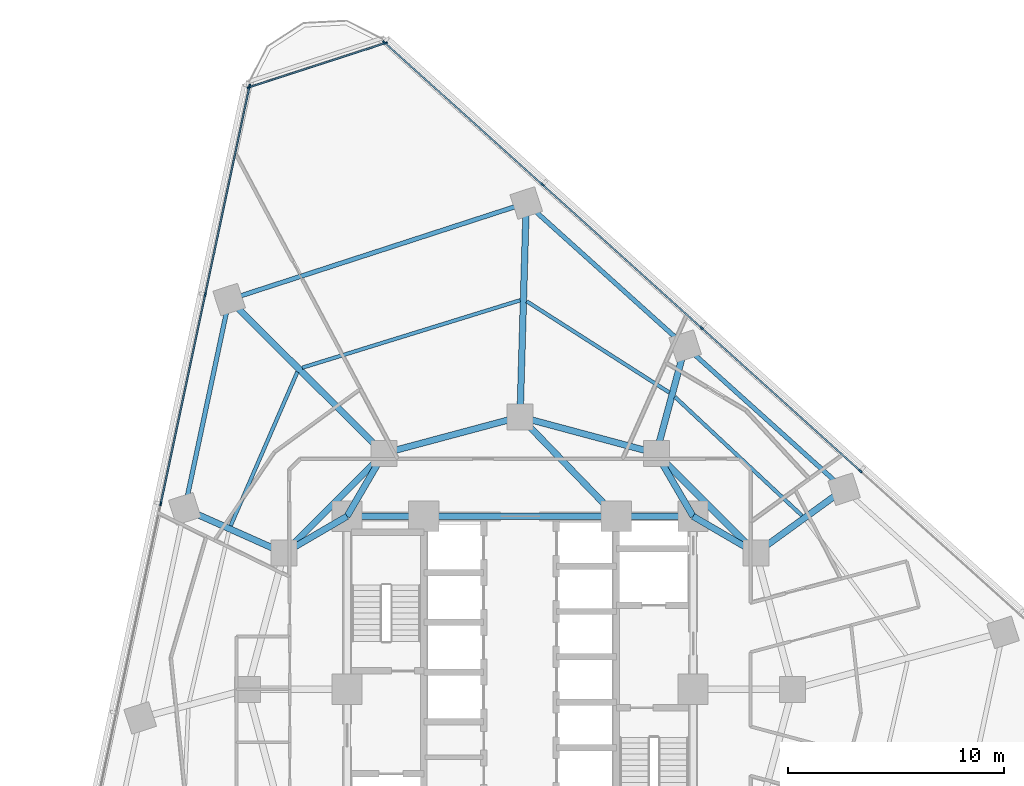
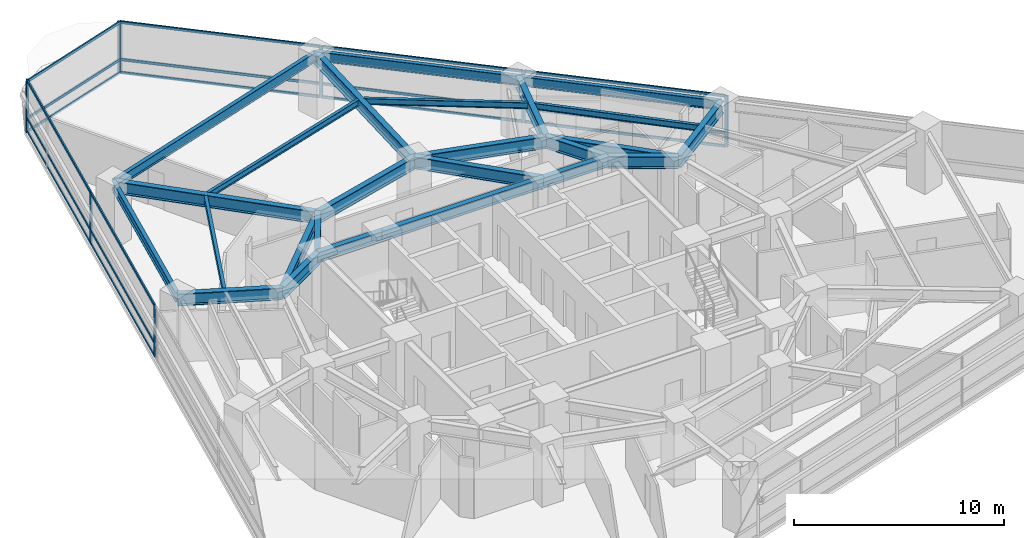
# One storey, part 5 of 13: 27 members, 25 beams, 3 elements without a shape of their own.
"""IFC4 building model written with IfcOpenShell, lengths in metres."""

from ifc_helpers import new_model, si_unit, direction, frame, origin, origin_2d, place, context, subcontext, project, spatial, rectangle, i_section, extrude, material, layer, layer_set, material_profile, profile_set, type_object, element, aggregate, save


model = new_model("IFC4")

# Units and contexts
model_context = context("Model", 3, precision=1e-05, world=origin(), true_north=direction((0.0, 1.0)))
body_context = subcontext(model_context, "Body", "Model", "MODEL_VIEW")
ifc_project = project(units=[si_unit("LENGTHUNIT", "METRE"), si_unit("AREAUNIT", "SQUARE_METRE"), si_unit("VOLUMEUNIT", "CUBIC_METRE"), si_unit("PLANEANGLEUNIT", "RADIAN"), si_unit("MASSUNIT", "GRAM", prefix="KILO")], contexts=[model_context])

# Site, building, storey
site_placement = place(None, origin())
site = spatial("IfcSite", under=ifc_project, at=site_placement, CompositionType="ELEMENT")
building_placement = place(site_placement, origin())
building = spatial("IfcBuilding", under=site, at=building_placement, Name="Terralouvre Media Tower", CompositionType="ELEMENT")
storey_placement = place(building_placement, frame((0.0, 0.0, 101.39990234375)))
storey = spatial("IfcBuildingStorey", under=building, at=storey_placement, Name="L25", CompositionType="ELEMENT", Elevation=101.39990234375)

# Beams
ifc_material_1 = material(Name="Structural steel S355J2", Category="steel")
ifc_material_profile_1 = material_profile(ifc_material_1, i_section(OverallWidth=0.169921875, OverallDepth=0.360107421875, WebThickness=0.008056640625, FlangeThickness=0.0126953125, at=origin_2d()), Name="IPE 360")
ifc_profile_set_1 = profile_set([ifc_material_profile_1], Name="Structural steel S355J2")
beam_type_1 = type_object("IfcBeamType", Name="Composite Floor Joist J-IPE360 (IPE 360)", PredefinedType="JOIST", material=ifc_profile_set_1)
beam_1_placement = place(storey_placement, frame((13.041259765625, 8.02685546875, 3.320068359375), z_axis=(-0.730741620607, 0.682654146631, 0.0), x_axis=(-0.682654146631, -0.730741620607, 0.0)))
element("IfcBeam", 1, at=beam_1_placement, inside=storey, type_object=beam_type_1, Name="L25 Framing Beam JT-L25-08", PredefinedType="JOIST", context=body_context, shape_type="SweptSolid", body=[
    extrude(i_section(OverallWidth=0.169921875, OverallDepth=0.360107421875, WebThickness=0.008056640625, FlangeThickness=0.0126953125, at=origin_2d()), origin(), (0.0, 0.0, 1.0), 8.05224609375),
])
beam_2_placement = place(storey_placement, frame((6.90380859375, 13.721923828125, 3.320068359375), z_axis=(-0.842395313358, 0.538860033805, 0.0), x_axis=(-0.538860033805, -0.842395313358, 0.0)))
element("IfcBeam", 2, at=beam_2_placement, inside=storey, type_object=beam_type_1, Name="L25 Framing Beam JT-L25-09", PredefinedType="JOIST", context=body_context, shape_type="SweptSolid", body=[
    extrude(i_section(OverallWidth=0.169921875, OverallDepth=0.360107421875, WebThickness=0.008056640625, FlangeThickness=0.0126953125, at=origin_2d()), origin(), (0.0, 0.0, 1.0), 7.8349609375),
])
beam_3_placement = place(storey_placement, frame((0.008544921875, 17.99072265625, 3.320068359375), z_axis=(-0.955322607301, -0.295565079095, 0.0), x_axis=(0.295565079095, -0.955322607301, 0.0)))
element("IfcBeam", 3, at=beam_3_placement, inside=storey, type_object=beam_type_1, Name="L25 Framing Beam JT-L25-10", PredefinedType="JOIST", context=body_context, shape_type="SweptSolid", body=[
    extrude(i_section(OverallWidth=0.169921875, OverallDepth=0.360107421875, WebThickness=0.008056640625, FlangeThickness=0.0126953125, at=origin_2d()), origin(), (0.0, 0.0, 1.0), 10.551513671875),
])
beam_4_placement = place(storey_placement, frame((-10.295166015625, 14.676513671875, 3.320068359375), z_axis=(-0.3977895236, -0.91747669993, 0.0), x_axis=(0.91747669993, -0.3977895236, 0.0)))
element("IfcBeam", 4, at=beam_4_placement, inside=storey, type_object=beam_type_1, Name="L25 Framing Beam JT-L25-11", PredefinedType="JOIST", context=body_context, shape_type="SweptSolid", body=[
    extrude(i_section(OverallWidth=0.169921875, OverallDepth=0.360107421875, WebThickness=0.008056640625, FlangeThickness=0.0126953125, at=origin_2d()), origin(), (0.0, 0.0, 1.0), 7.7509765625),
])

# Curtain wall, members
ifc_material_2 = material(Name="Low-iron laminated double glazing with solar-control coating", Category="glass")
ifc_layer_1 = layer(ifc_material_2, 0.1650390625, Name="Lower Media Tower Unitised Curtain Wall CW-02")
ifc_layer_set_1 = layer_set([ifc_layer_1], Name="Low-iron laminated double glazing with solar-control coating")
curtain_wall_type_1 = type_object("IfcCurtainWallType", Name="Lower Media Tower Unitised Curtain Wall CW-02", PredefinedType="NOTDEFINED", material=ifc_layer_set_1)
curtain_wall_1_placement = place(storey_placement, origin())
curtain_wall_1 = element("IfcCurtainWall", 5, at=curtain_wall_1_placement, inside=storey, type_object=curtain_wall_type_1, Name="L25 Facade Curtain Wall F1", PredefinedType="NOTDEFINED")
ifc_material_3 = material(Name="Anodised extruded aluminium 6063-T6", Category="aluminium")
ifc_material_profile_2 = material_profile(ifc_material_3, rectangle(XDim=0.074951171875, YDim=0.14990234375, at=origin_2d()), Name="ALU 75x150")
ifc_profile_set_2 = profile_set([ifc_material_profile_2], Name="Anodised extruded aluminium 6063-T6")
member_type_1 = type_object("IfcMemberType", Name="Curtain-Wall Horizontal Transom TR-150", PredefinedType="USERDEFINED", material=ifc_profile_set_2)
member_1_placement = place(storey_placement, frame((15.712158203125, 10.117431640625, 0.03759765625), z_axis=(-0.743145676677, 0.669129661005, 0.0), x_axis=(-0.669129661005, -0.743145676677, 0.0)))
member_1 = element("IfcMember", 6, at=member_1_placement, type_object=member_type_1, Name="CW-02 transom 3.1", ObjectType="TRANSOM", PredefinedType="USERDEFINED", context=body_context, shape_type="SweptSolid", body=[
    extrude(rectangle(XDim=0.074951171875, YDim=0.14990234375, at=origin_2d()), origin(), (0.0, 0.0, 1.0), 9.81298828125),
])
member_2_placement = place(storey_placement, frame((15.712158203125, 10.117431640625, 0.800048828125), z_axis=(-0.743145676677, 0.669129661005, 0.0), x_axis=(-0.669129661005, -0.743145676677, 0.0)))
member_2 = element("IfcMember", 7, at=member_2_placement, type_object=member_type_1, Name="CW-02 transom 3.2", ObjectType="TRANSOM", PredefinedType="USERDEFINED", context=body_context, shape_type="SweptSolid", body=[
    extrude(rectangle(XDim=0.074951171875, YDim=0.14990234375, at=origin_2d()), origin(), (0.0, 0.0, 1.0), 9.81298828125),
])
member_3_placement = place(storey_placement, frame((15.712158203125, 10.117431640625, 2.962646484375), z_axis=(-0.743145676677, 0.669129661005, 0.0), x_axis=(-0.669129661005, -0.743145676677, 0.0)))
member_3 = element("IfcMember", 8, at=member_3_placement, type_object=member_type_1, Name="CW-02 transom 3.3", ObjectType="TRANSOM", PredefinedType="USERDEFINED", context=body_context, shape_type="SweptSolid", body=[
    extrude(rectangle(XDim=0.074951171875, YDim=0.14990234375, at=origin_2d()), origin(), (0.0, 0.0, 1.0), 9.81298828125),
])
member_4_placement = place(storey_placement, frame((8.36376953125, 16.733642578125, 0.03759765625), z_axis=(-0.743145676677, 0.669129661005, 0.0), x_axis=(-0.669129661005, -0.743145676677, 0.0)))
member_4 = element("IfcMember", 9, at=member_4_placement, type_object=member_type_1, Name="CW-02 transom 4.1", ObjectType="TRANSOM", PredefinedType="USERDEFINED", context=body_context, shape_type="SweptSolid", body=[
    extrude(rectangle(XDim=0.074951171875, YDim=0.14990234375, at=origin_2d()), origin(), (0.0, 0.0, 1.0), 9.81298828125),
])
member_5_placement = place(storey_placement, frame((8.36376953125, 16.733642578125, 0.800048828125), z_axis=(-0.743145676677, 0.669129661005, 0.0), x_axis=(-0.669129661005, -0.743145676677, 0.0)))
member_5 = element("IfcMember", 10, at=member_5_placement, type_object=member_type_1, Name="CW-02 transom 4.2", ObjectType="TRANSOM", PredefinedType="USERDEFINED", context=body_context, shape_type="SweptSolid", body=[
    extrude(rectangle(XDim=0.074951171875, YDim=0.14990234375, at=origin_2d()), origin(), (0.0, 0.0, 1.0), 9.81298828125),
])
member_6_placement = place(storey_placement, frame((8.36376953125, 16.733642578125, 2.962646484375), z_axis=(-0.743145676677, 0.669129661005, 0.0), x_axis=(-0.669129661005, -0.743145676677, 0.0)))
member_6 = element("IfcMember", 11, at=member_6_placement, type_object=member_type_1, Name="CW-02 transom 4.3", ObjectType="TRANSOM", PredefinedType="USERDEFINED", context=body_context, shape_type="SweptSolid", body=[
    extrude(rectangle(XDim=0.074951171875, YDim=0.14990234375, at=origin_2d()), origin(), (0.0, 0.0, 1.0), 9.81298828125),
])
member_7_placement = place(storey_placement, frame((1.015625, 23.35009765625, 0.03759765625), z_axis=(-0.743150075485, 0.669124775588, 0.0), x_axis=(-0.669124775588, -0.743150075485, 0.0)))
member_7 = element("IfcMember", 12, at=member_7_placement, type_object=member_type_1, Name="CW-02 transom 5.1", ObjectType="TRANSOM", PredefinedType="USERDEFINED", context=body_context, shape_type="SweptSolid", body=[
    extrude(rectangle(XDim=0.074951171875, YDim=0.14990234375, at=origin_2d()), origin(), (0.0, 0.0, 1.0), 9.775390625),
])
member_8_placement = place(storey_placement, frame((1.015625, 23.35009765625, 0.800048828125), z_axis=(-0.743150075485, 0.669124775588, 0.0), x_axis=(-0.669124775588, -0.743150075485, 0.0)))
member_8 = element("IfcMember", 13, at=member_8_placement, type_object=member_type_1, Name="CW-02 transom 5.2", ObjectType="TRANSOM", PredefinedType="USERDEFINED", context=body_context, shape_type="SweptSolid", body=[
    extrude(rectangle(XDim=0.074951171875, YDim=0.14990234375, at=origin_2d()), origin(), (0.0, 0.0, 1.0), 9.775390625),
])
member_9_placement = place(storey_placement, frame((1.015625, 23.35009765625, 2.962646484375), z_axis=(-0.743150075485, 0.669124775588, 0.0), x_axis=(-0.669124775588, -0.743150075485, 0.0)))
member_9 = element("IfcMember", 14, at=member_9_placement, type_object=member_type_1, Name="CW-02 transom 5.3", ObjectType="TRANSOM", PredefinedType="USERDEFINED", context=body_context, shape_type="SweptSolid", body=[
    extrude(rectangle(XDim=0.074951171875, YDim=0.14990234375, at=origin_2d()), origin(), (0.0, 0.0, 1.0), 9.775390625),
])

curtain_wall_2_placement = place(storey_placement, origin())
curtain_wall_2 = element("IfcCurtainWall", 15, at=curtain_wall_2_placement, inside=storey, type_object=curtain_wall_type_1, Name="L25 Facade Curtain Wall F2", PredefinedType="NOTDEFINED")
member_10_placement = place(storey_placement, frame((-12.51416015625, 27.85546875, 0.03759765625), z_axis=(-0.207917001862, -0.978146471821, 0.0), x_axis=(0.978146471821, -0.207917001862, 0.0)))
member_10 = element("IfcMember", 16, at=member_10_placement, type_object=member_type_1, Name="CW-02 transom 1.1", ObjectType="TRANSOM", PredefinedType="USERDEFINED", context=body_context, shape_type="SweptSolid", body=[
    extrude(rectangle(XDim=0.074951171875, YDim=0.14990234375, at=origin_2d()), origin(), (0.0, 0.0, 1.0), 9.775390625),
])
member_11_placement = place(storey_placement, frame((-12.51416015625, 27.85546875, 0.800048828125), z_axis=(-0.207917001862, -0.978146471821, 0.0), x_axis=(0.978146471821, -0.207917001862, 0.0)))
member_11 = element("IfcMember", 17, at=member_11_placement, type_object=member_type_1, Name="CW-02 transom 1.2", ObjectType="TRANSOM", PredefinedType="USERDEFINED", context=body_context, shape_type="SweptSolid", body=[
    extrude(rectangle(XDim=0.074951171875, YDim=0.14990234375, at=origin_2d()), origin(), (0.0, 0.0, 1.0), 9.775390625),
])
member_12_placement = place(storey_placement, frame((-12.51416015625, 27.85546875, 2.962646484375), z_axis=(-0.207917001862, -0.978146471821, 0.0), x_axis=(0.978146471821, -0.207917001862, 0.0)))
member_12 = element("IfcMember", 18, at=member_12_placement, type_object=member_type_1, Name="CW-02 transom 1.3", ObjectType="TRANSOM", PredefinedType="USERDEFINED", context=body_context, shape_type="SweptSolid", body=[
    extrude(rectangle(XDim=0.074951171875, YDim=0.14990234375, at=origin_2d()), origin(), (0.0, 0.0, 1.0), 9.775390625),
])
member_13_placement = place(storey_placement, frame((-14.56201171875, 18.22021484375, 0.03759765625), z_axis=(-0.207919755159, -0.97814588657, 0.0), x_axis=(0.97814588657, -0.207919755159, 0.0)))
member_13 = element("IfcMember", 19, at=member_13_placement, type_object=member_type_1, Name="CW-02 transom 2.1", ObjectType="TRANSOM", PredefinedType="USERDEFINED", context=body_context, shape_type="SweptSolid", body=[
    extrude(rectangle(XDim=0.074951171875, YDim=0.14990234375, at=origin_2d()), origin(), (0.0, 0.0, 1.0), 9.812744140625),
])
member_14_placement = place(storey_placement, frame((-14.56201171875, 18.22021484375, 0.800048828125), z_axis=(-0.207919755159, -0.97814588657, 0.0), x_axis=(0.97814588657, -0.207919755159, 0.0)))
member_14 = element("IfcMember", 20, at=member_14_placement, type_object=member_type_1, Name="CW-02 transom 2.2", ObjectType="TRANSOM", PredefinedType="USERDEFINED", context=body_context, shape_type="SweptSolid", body=[
    extrude(rectangle(XDim=0.074951171875, YDim=0.14990234375, at=origin_2d()), origin(), (0.0, 0.0, 1.0), 9.812744140625),
])
member_15_placement = place(storey_placement, frame((-14.56201171875, 18.22021484375, 2.962646484375), z_axis=(-0.207919755159, -0.97814588657, 0.0), x_axis=(0.97814588657, -0.207919755159, 0.0)))
member_15 = element("IfcMember", 21, at=member_15_placement, type_object=member_type_1, Name="CW-02 transom 2.3", ObjectType="TRANSOM", PredefinedType="USERDEFINED", context=body_context, shape_type="SweptSolid", body=[
    extrude(rectangle(XDim=0.074951171875, YDim=0.14990234375, at=origin_2d()), origin(), (0.0, 0.0, 1.0), 9.812744140625),
])

ifc_material_4 = material(Name="Low-iron laminated double glazing with solar-control coating", Category="glass")
ifc_layer_2 = layer(ifc_material_4, 0.1650390625, Name="Rounded Wind-Corner Curved Glazing CW-04")
ifc_layer_set_2 = layer_set([ifc_layer_2], Name="Low-iron laminated double glazing with solar-control coating")
curtain_wall_type_2 = type_object("IfcCurtainWallType", Name="Rounded Wind-Corner Curved Glazing CW-04", PredefinedType="NOTDEFINED", material=ifc_layer_set_2)
curtain_wall_3_placement = place(storey_placement, origin())
curtain_wall_3 = element("IfcCurtainWall", 22, at=curtain_wall_3_placement, inside=storey, type_object=curtain_wall_type_2, Name="L25 Rounded Wind-Corner Curtain Wall C2", PredefinedType="NOTDEFINED")
member_16_placement = place(storey_placement, frame((-6.25244140625, 29.874267578125, 0.03759765625), z_axis=(-0.951049086089, -0.309039861262, 0.0), x_axis=(0.309039861262, -0.951049086089, 0.0)))
member_16 = element("IfcMember", 23, at=member_16_placement, type_object=member_type_1, Name="CW-04 transom 1.1", ObjectType="TRANSOM", PredefinedType="USERDEFINED", context=body_context, shape_type="SweptSolid", body=[
    extrude(rectangle(XDim=0.074951171875, YDim=0.14990234375, at=origin_2d()), origin(), (0.0, 0.0, 1.0), 6.5703125),
])
member_17_placement = place(storey_placement, frame((-6.25244140625, 29.874267578125, 0.800048828125), z_axis=(-0.951049086089, -0.309039861262, 0.0), x_axis=(0.309039861262, -0.951049086089, 0.0)))
member_17 = element("IfcMember", 24, at=member_17_placement, type_object=member_type_1, Name="CW-04 transom 1.2", ObjectType="TRANSOM", PredefinedType="USERDEFINED", context=body_context, shape_type="SweptSolid", body=[
    extrude(rectangle(XDim=0.074951171875, YDim=0.14990234375, at=origin_2d()), origin(), (0.0, 0.0, 1.0), 6.5703125),
])
member_18_placement = place(storey_placement, frame((-6.25244140625, 29.874267578125, 2.962646484375), z_axis=(-0.951049086089, -0.309039861262, 0.0), x_axis=(0.309039861262, -0.951049086089, 0.0)))
member_18 = element("IfcMember", 25, at=member_18_placement, type_object=member_type_1, Name="CW-04 transom 1.3", ObjectType="TRANSOM", PredefinedType="USERDEFINED", context=body_context, shape_type="SweptSolid", body=[
    extrude(rectangle(XDim=0.074951171875, YDim=0.14990234375, at=origin_2d()), origin(), (0.0, 0.0, 1.0), 6.5703125),
])

# Member
ifc_material_5 = material(Name="Anodised extruded aluminium 6063-T6", Category="aluminium")
ifc_material_profile_3 = material_profile(ifc_material_5, rectangle(XDim=0.074951171875, YDim=0.179931640625, at=origin_2d()), Name="ALU 75x180")
ifc_profile_set_3 = profile_set([ifc_material_profile_3], Name="Anodised extruded aluminium 6063-T6")
member_type_2 = type_object("IfcMemberType", Name="Curtain-Wall Vertical Mullion ML-180", PredefinedType="MULLION", material=ifc_profile_set_3)
member_19_placement = place(storey_placement, frame((15.739990234375, 10.09228515625, 0.0), z_axis=(0.0, 0.0, 1.0), x_axis=(-0.669130639602, -0.743144795545, 0.0)))
member_19 = element("IfcMember", 26, at=member_19_placement, type_object=member_type_2, Name="CW-02 mullion 3", PredefinedType="MULLION", context=body_context, shape_type="SweptSolid", body=[
    extrude(rectangle(XDim=0.074951171875, YDim=0.179931640625, at=origin_2d()), origin(), (0.0, 0.0, 1.0), 3.0),
])

member_20_placement = place(storey_placement, frame((8.3916015625, 16.708740234375, 0.0), z_axis=(0.0, 0.0, 1.0), x_axis=(-0.669130639602, -0.743144795545, 0.0)))
member_20 = element("IfcMember", 27, at=member_20_placement, type_object=member_type_2, Name="CW-02 mullion 4", PredefinedType="MULLION", context=body_context, shape_type="SweptSolid", body=[
    extrude(rectangle(XDim=0.074951171875, YDim=0.179931640625, at=origin_2d()), origin(), (0.0, 0.0, 1.0), 3.0),
])

member_21_placement = place(storey_placement, frame((1.04345703125, 23.324951171875, 0.0), z_axis=(0.0, 0.0, 1.0), x_axis=(-0.669130639602, -0.743144795545, 0.0)))
member_21 = element("IfcMember", 28, at=member_21_placement, type_object=member_type_2, Name="CW-02 mullion 5", PredefinedType="MULLION", context=body_context, shape_type="SweptSolid", body=[
    extrude(rectangle(XDim=0.074951171875, YDim=0.179931640625, at=origin_2d()), origin(), (0.0, 0.0, 1.0), 3.0),
])

member_22_placement = place(storey_placement, frame((-6.27685546875, 29.916259765625, 0.0), z_axis=(0.0, 0.0, 1.0), x_axis=(-0.669130639602, -0.743144795545, 0.0)))
member_22 = element("IfcMember", 29, at=member_22_placement, type_object=member_type_2, Name="CW-02 mullion 6", PredefinedType="MULLION", context=body_context, shape_type="SweptSolid", body=[
    extrude(rectangle(XDim=0.074951171875, YDim=0.179931640625, at=origin_2d()), origin(), (0.0, 0.0, 1.0), 3.0),
])

aggregate(curtain_wall_1, [member_19, member_20, member_21, member_22, member_1, member_2, member_3, member_4, member_5, member_6, member_7, member_8, member_9])

member_23_placement = place(storey_placement, frame((-12.50634765625, 27.89208984375, 0.0), z_axis=(0.0, 0.0, 1.0), x_axis=(0.978147610709, -0.207911643887, 0.0)))
member_23 = element("IfcMember", 30, at=member_23_placement, type_object=member_type_2, Name="CW-02 mullion 1", PredefinedType="MULLION", context=body_context, shape_type="SweptSolid", body=[
    extrude(rectangle(XDim=0.074951171875, YDim=0.179931640625, at=origin_2d()), origin(), (0.0, 0.0, 1.0), 3.0),
])

member_24_placement = place(storey_placement, frame((-14.55419921875, 18.257080078125, 0.0), z_axis=(0.0, 0.0, 1.0), x_axis=(0.978147610709, -0.207911643887, 0.0)))
member_24 = element("IfcMember", 31, at=member_24_placement, type_object=member_type_2, Name="CW-02 mullion 2", PredefinedType="MULLION", context=body_context, shape_type="SweptSolid", body=[
    extrude(rectangle(XDim=0.074951171875, YDim=0.179931640625, at=origin_2d()), origin(), (0.0, 0.0, 1.0), 3.0),
])

member_25_placement = place(storey_placement, frame((-16.610107421875, 8.5849609375, 0.0), z_axis=(0.0, 0.0, 1.0), x_axis=(0.978147610709, -0.207911643887, 0.0)))
member_25 = element("IfcMember", 32, at=member_25_placement, type_object=member_type_2, Name="CW-02 mullion 3", PredefinedType="MULLION", context=body_context, shape_type="SweptSolid", body=[
    extrude(rectangle(XDim=0.074951171875, YDim=0.179931640625, at=origin_2d()), origin(), (0.0, 0.0, 1.0), 3.0),
])

aggregate(curtain_wall_2, [member_23, member_24, member_25, member_10, member_11, member_12, member_13, member_14, member_15])

member_26_placement = place(storey_placement, frame((-6.216796875, 29.8857421875, 0.0), z_axis=(0.0, 0.0, 1.0), x_axis=(0.309017701894, -0.951056286408, 0.0)))
member_26 = element("IfcMember", 33, at=member_26_placement, type_object=member_type_2, Name="CW-04 mullion 1", PredefinedType="MULLION", context=body_context, shape_type="SweptSolid", body=[
    extrude(rectangle(XDim=0.074951171875, YDim=0.179931640625, at=origin_2d()), origin(), (0.0, 0.0, 1.0), 3.0),
])

member_27_placement = place(storey_placement, frame((-12.536865234375, 27.832275390625, 0.0), z_axis=(0.0, 0.0, 1.0), x_axis=(0.309017701894, -0.951056286408, 0.0)))
member_27 = element("IfcMember", 34, at=member_27_placement, type_object=member_type_2, Name="CW-04 mullion 2", PredefinedType="MULLION", context=body_context, shape_type="SweptSolid", body=[
    extrude(rectangle(XDim=0.074951171875, YDim=0.179931640625, at=origin_2d()), origin(), (0.0, 0.0, 1.0), 3.0),
])

aggregate(curtain_wall_3, [member_26, member_27, member_16, member_17, member_18])

# Beams
ifc_material_6 = material(Name="Structural steel S355J2", Category="steel")
ifc_material_profile_4 = material_profile(ifc_material_6, i_section(OverallWidth=0.2099609375, OverallDepth=0.550048828125, WebThickness=0.010986328125, FlangeThickness=0.01708984375, at=origin_2d()), Name="IPE 550")
ifc_profile_set_4 = profile_set([ifc_material_profile_4], Name="Structural steel S355J2")
beam_type_2 = type_object("IfcBeamType", Name="Perimeter Spandrel Beam SPB-550 (IPE 550)", PredefinedType="SPANDREL", material=ifc_profile_set_4)
beam_5_placement = place(storey_placement, frame((14.98388671875, 9.25244140625, 3.22509765625), z_axis=(-0.743148033922, 0.669127043002, 0.0), x_axis=(-0.669127043002, -0.743148033922, 0.0)))
element("IfcBeam", 35, at=beam_5_placement, inside=storey, type_object=beam_type_2, Name="L25 Framing Beam BM-L25-PR08", PredefinedType="SPANDREL", context=body_context, shape_type="SweptSolid", body=[
    extrude(i_section(OverallWidth=0.2099609375, OverallDepth=0.550048828125, WebThickness=0.010986328125, FlangeThickness=0.01708984375, at=origin_2d()), origin(), (0.0, 0.0, 1.0), 9.88818359375),
])
beam_6_placement = place(storey_placement, frame((7.635498046875, 15.868896484375, 3.22509765625), z_axis=(-0.743136979084, 0.669139320558, 0.0), x_axis=(-0.669139320558, -0.743136979084, 0.0)))
element("IfcBeam", 36, at=beam_6_placement, inside=storey, type_object=beam_type_2, Name="L25 Framing Beam BM-L25-PR09", PredefinedType="SPANDREL", context=body_context, shape_type="SweptSolid", body=[
    extrude(i_section(OverallWidth=0.2099609375, OverallDepth=0.550048828125, WebThickness=0.010986328125, FlangeThickness=0.01708984375, at=origin_2d()), origin(), (0.0, 0.0, 1.0), 9.887939453125),
])
beam_7_placement = place(storey_placement, frame((0.287353515625, 22.4853515625, 3.22509765625), z_axis=(-0.951052948313, -0.309027975278, 0.0), x_axis=(0.309027975278, -0.951052948313, 0.0)))
element("IfcBeam", 37, at=beam_7_placement, inside=storey, type_object=beam_type_2, Name="L25 Framing Beam BM-L25-PR10", PredefinedType="SPANDREL", context=body_context, shape_type="SweptSolid", body=[
    extrude(i_section(OverallWidth=0.2099609375, OverallDepth=0.550048828125, WebThickness=0.010986328125, FlangeThickness=0.01708984375, at=origin_2d()), origin(), (0.0, 0.0, 1.0), 14.443359375),
])
beam_8_placement = place(storey_placement, frame((-13.448974609375, 18.02197265625, 3.22509765625), z_axis=(-0.207920177572, -0.97814579678, 0.0), x_axis=(0.97814579678, -0.207920177572, 0.0)))
element("IfcBeam", 38, at=beam_8_placement, inside=storey, type_object=beam_type_2, Name="L25 Framing Beam BM-L25-PR11", PredefinedType="SPANDREL", context=body_context, shape_type="SweptSolid", body=[
    extrude(i_section(OverallWidth=0.2099609375, OverallDepth=0.550048828125, WebThickness=0.010986328125, FlangeThickness=0.01708984375, at=origin_2d()), origin(), (0.0, 0.0, 1.0), 9.887939453125),
])
ifc_material_7 = material(Name="Structural steel S460M", Category="steel")
ifc_material_profile_5 = material_profile(ifc_material_7, i_section(OverallWidth=0.300048828125, OverallDepth=0.60009765625, WebThickness=0.015380859375, FlangeThickness=0.030029296875, at=origin_2d()), Name="HEB 600")
ifc_profile_set_5 = profile_set([ifc_material_profile_5], Name="Structural steel S460M")
beam_type_3 = type_object("IfcBeamType", Name="Primary Floor Girder B-HEB600 (HEB 600)", PredefinedType="BEAM", material=ifc_profile_set_5)
beam_9_placement = place(storey_placement, frame((8.0, 8.0, 3.2001953125), z_axis=(-1.0, 0.0, 0.0), x_axis=(0.0, -1.0, 0.0)))
element("IfcBeam", 39, at=beam_9_placement, inside=storey, type_object=beam_type_3, Name="L25 Framing Beam BM-L25-CPR06", PredefinedType="BEAM", context=body_context, shape_type="SweptSolid", body=[
    extrude(i_section(OverallWidth=0.300048828125, OverallDepth=0.60009765625, WebThickness=0.015380859375, FlangeThickness=0.030029296875, at=origin_2d()), origin(), (0.0, 0.0, 1.0), 3.550048828125),
])
beam_10_placement = place(storey_placement, frame((4.449951171875, 8.0, 3.2001953125), z_axis=(-1.0, 0.0, 0.0), x_axis=(0.0, -1.0, 0.0)))
element("IfcBeam", 40, at=beam_10_placement, inside=storey, type_object=beam_type_3, Name="L25 Framing Beam BM-L25-CPR07", PredefinedType="BEAM", context=body_context, shape_type="SweptSolid", body=[
    extrude(i_section(OverallWidth=0.300048828125, OverallDepth=0.60009765625, WebThickness=0.015380859375, FlangeThickness=0.030029296875, at=origin_2d()), origin(), (0.0, 0.0, 1.0), 8.89990234375),
])
beam_11_placement = place(storey_placement, frame((-4.449951171875, 8.0, 3.2001953125), z_axis=(-1.0, 0.0, 0.0), x_axis=(0.0, -1.0, 0.0)))
element("IfcBeam", 41, at=beam_11_placement, inside=storey, type_object=beam_type_3, Name="L25 Framing Beam BM-L25-CPR08", PredefinedType="BEAM", context=body_context, shape_type="SweptSolid", body=[
    extrude(i_section(OverallWidth=0.300048828125, OverallDepth=0.60009765625, WebThickness=0.015380859375, FlangeThickness=0.030029296875, at=origin_2d()), origin(), (0.0, 0.0, 1.0), 3.550048828125),
])
ifc_material_8 = material(Name="Structural steel S460M", Category="steel")
ifc_material_profile_6 = material_profile(ifc_material_8, i_section(OverallWidth=0.300048828125, OverallDepth=0.699951171875, WebThickness=0.01708984375, FlangeThickness=0.031982421875, at=origin_2d()), Name="HEB 700")
ifc_profile_set_6 = profile_set([ifc_material_profile_6], Name="Structural steel S460M")
beam_type_4 = type_object("IfcBeamType", Name="Primary Floor Girder B-HEB700 (HEB 700)", PredefinedType="BEAM", material=ifc_profile_set_6)
beam_12_placement = place(storey_placement, frame((10.911865234375, 6.300048828125, 3.150146484375), z_axis=(-0.707106781187, 0.707106781187, 0.0), x_axis=(-0.707106781187, -0.707106781187, 0.0)))
element("IfcBeam", 42, at=beam_12_placement, inside=storey, type_object=beam_type_4, Name="L25 Framing Beam BM-L25-MR07", PredefinedType="BEAM", context=body_context, shape_type="SweptSolid", body=[
    extrude(i_section(OverallWidth=0.300048828125, OverallDepth=0.699951171875, WebThickness=0.01708984375, FlangeThickness=0.031982421875, at=origin_2d()), origin(), (0.0, 0.0, 1.0), 6.52197265625),
])
for number, where, z_axis, x_axis, name in (
    (43, (6.300048828125, 10.911865234375, 3.150146484375), (-0.965920481897, 0.258838989821, 0.0), (-0.258838989821, -0.965920481897, 0.0), "L25 Framing Beam BM-L25-MR08"),
    (44, (0.0, 12.60009765625, 3.150146484375), (-0.965920481897, -0.258838989821, 0.0), (0.258838989821, -0.965920481897, 0.0), "L25 Framing Beam BM-L25-MR09"),
):
    element("IfcBeam", number, at=place(storey_placement, frame(where, z_axis=z_axis, x_axis=x_axis)), inside=storey, type_object=beam_type_4, Name=name, PredefinedType="BEAM", context=body_context, shape_type="SweptSolid", body=[
        extrude(i_section(OverallWidth=0.300048828125, OverallDepth=0.699951171875, WebThickness=0.01708984375, FlangeThickness=0.031982421875, at=origin_2d()), origin(), (0.0, 0.0, 1.0), 6.522216796875),
    ])
beam_13_placement = place(storey_placement, frame((-6.300048828125, 10.911865234375, 3.150146484375), z_axis=(-0.707106781187, -0.707106781187, 0.0), x_axis=(0.707106781187, -0.707106781187, 0.0)))
element("IfcBeam", 45, at=beam_13_placement, inside=storey, type_object=beam_type_4, Name="L25 Framing Beam BM-L25-MR10", PredefinedType="BEAM", context=body_context, shape_type="SweptSolid", body=[
    extrude(i_section(OverallWidth=0.300048828125, OverallDepth=0.699951171875, WebThickness=0.01708984375, FlangeThickness=0.031982421875, at=origin_2d()), origin(), (0.0, 0.0, 1.0), 6.52197265625),
])
for number, where, z_axis, x_axis, name in (
    (46, (8.0, 8.0, 3.150146484375), (0.863602894532, -0.504172629717, 0.0), (0.504172629717, 0.863602894532, 0.0), "L25 Framing Beam BM-L25-CM07"),
    (47, (8.0, 8.0, 3.150146484375), (-0.504172629717, 0.863602894532, 0.0), (-0.863602894532, -0.504172629717, 0.0), "L25 Framing Beam BM-L25-CM08"),
):
    element("IfcBeam", number, at=place(storey_placement, frame(where, z_axis=z_axis, x_axis=x_axis)), inside=storey, type_object=beam_type_4, Name=name, PredefinedType="BEAM", context=body_context, shape_type="SweptSolid", body=[
        extrude(i_section(OverallWidth=0.300048828125, OverallDepth=0.699951171875, WebThickness=0.01708984375, FlangeThickness=0.031982421875, at=origin_2d()), origin(), (0.0, 0.0, 1.0), 3.371826171875),
    ])
beam_14_placement = place(storey_placement, frame((4.449951171875, 8.0, 3.150146484375), z_axis=(-0.695279715726, 0.718739255155, 0.0), x_axis=(-0.718739255155, -0.695279715726, 0.0)))
element("IfcBeam", 48, at=beam_14_placement, inside=storey, type_object=beam_type_4, Name="L25 Framing Beam BM-L25-CM09", PredefinedType="BEAM", context=body_context, shape_type="SweptSolid", body=[
    extrude(i_section(OverallWidth=0.300048828125, OverallDepth=0.699951171875, WebThickness=0.01708984375, FlangeThickness=0.031982421875, at=origin_2d()), origin(), (0.0, 0.0, 1.0), 6.400146484375),
])
for number, where, z_axis, x_axis, name in (
    (49, (-8.0, 8.0, 3.150146484375), (0.504172629717, 0.863602894532, 0.0), (-0.863602894532, 0.504172629717, 0.0), "L25 Framing Beam BM-L25-CM10"),
    (50, (-8.0, 8.0, 3.150146484375), (-0.863602894532, -0.504172629717, 0.0), (0.504172629717, -0.863602894532, 0.0), "L25 Framing Beam BM-L25-CM11"),
):
    element("IfcBeam", number, at=place(storey_placement, frame(where, z_axis=z_axis, x_axis=x_axis)), inside=storey, type_object=beam_type_4, Name=name, PredefinedType="BEAM", context=body_context, shape_type="SweptSolid", body=[
        extrude(i_section(OverallWidth=0.300048828125, OverallDepth=0.699951171875, WebThickness=0.01708984375, FlangeThickness=0.031982421875, at=origin_2d()), origin(), (0.0, 0.0, 1.0), 3.371826171875),
    ])
beam_15_placement = place(storey_placement, frame((10.911865234375, 6.300048828125, 3.150146484375), z_axis=(0.809593719636, 0.586990638022, 0.0), x_axis=(-0.586990638022, 0.809593719636, 0.0)))
element("IfcBeam", 51, at=beam_15_placement, inside=storey, type_object=beam_type_4, Name="L25 Framing Beam BM-L25-RD08", PredefinedType="BEAM", context=body_context, shape_type="SweptSolid", body=[
    extrude(i_section(OverallWidth=0.300048828125, OverallDepth=0.699951171875, WebThickness=0.01708984375, FlangeThickness=0.031982421875, at=origin_2d()), origin(), (0.0, 0.0, 1.0), 5.02978515625),
])
beam_16_placement = place(storey_placement, frame((6.300048828125, 10.911865234375, 3.150146484375), z_axis=(0.260130371447, 0.96557350308, 0.0), x_axis=(-0.96557350308, 0.260130371447, 0.0)))
element("IfcBeam", 52, at=beam_16_placement, inside=storey, type_object=beam_type_4, Name="L25 Framing Beam BM-L25-RD09", PredefinedType="BEAM", context=body_context, shape_type="SweptSolid", body=[
    extrude(i_section(OverallWidth=0.300048828125, OverallDepth=0.699951171875, WebThickness=0.01708984375, FlangeThickness=0.031982421875, at=origin_2d()), origin(), (0.0, 0.0, 1.0), 5.1337890625),
])
beam_17_placement = place(storey_placement, frame((0.0, 12.60009765625, 3.150146484375), z_axis=(0.029056632049, 0.999577766927, 0.0), x_axis=(-0.999577766927, 0.029056632049, 0.0)))
element("IfcBeam", 53, at=beam_17_placement, inside=storey, type_object=beam_type_4, Name="L25 Framing Beam BM-L25-RD10", PredefinedType="BEAM", context=body_context, shape_type="SweptSolid", body=[
    extrude(i_section(OverallWidth=0.300048828125, OverallDepth=0.699951171875, WebThickness=0.01708984375, FlangeThickness=0.031982421875, at=origin_2d()), origin(), (0.0, 0.0, 1.0), 9.889404296875),
])
beam_18_placement = place(storey_placement, frame((-6.300048828125, 10.911865234375, 3.150146484375), z_axis=(-0.709029159826, 0.705179161998, 0.0), x_axis=(-0.705179161998, -0.709029159826, 0.0)))
element("IfcBeam", 54, at=beam_18_placement, inside=storey, type_object=beam_type_4, Name="L25 Framing Beam BM-L25-RD11", PredefinedType="BEAM", context=body_context, shape_type="SweptSolid", body=[
    extrude(i_section(OverallWidth=0.300048828125, OverallDepth=0.699951171875, WebThickness=0.01708984375, FlangeThickness=0.031982421875, at=origin_2d()), origin(), (0.0, 0.0, 1.0), 10.082763671875),
])
beam_19_placement = place(storey_placement, frame((-10.911865234375, 6.300048828125, 3.150146484375), z_axis=(-0.913167886247, 0.407583625196, 0.0), x_axis=(-0.407583625196, -0.913167886247, 0.0)))
element("IfcBeam", 55, at=beam_19_placement, inside=storey, type_object=beam_type_4, Name="L25 Framing Beam BM-L25-RD12", PredefinedType="BEAM", context=body_context, shape_type="SweptSolid", body=[
    extrude(i_section(OverallWidth=0.300048828125, OverallDepth=0.699951171875, WebThickness=0.01708984375, FlangeThickness=0.031982421875, at=origin_2d()), origin(), (0.0, 0.0, 1.0), 5.02978515625),
])

save(model, "model.ifc")
